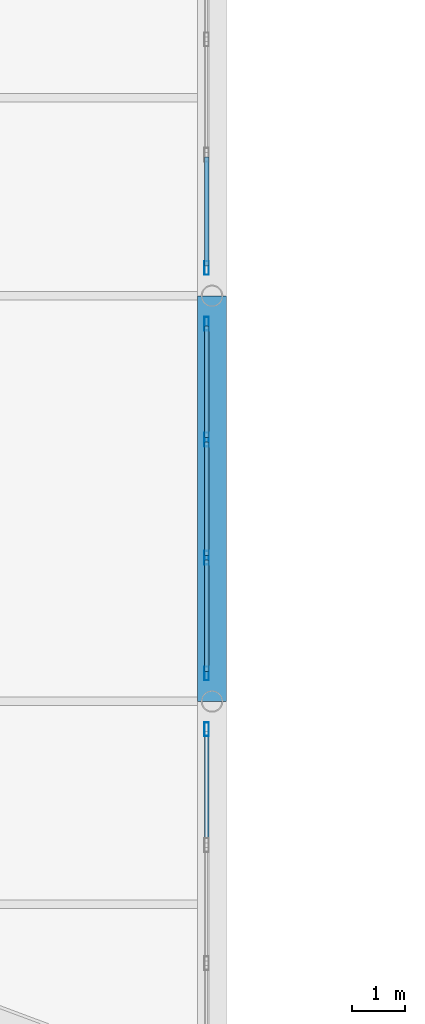
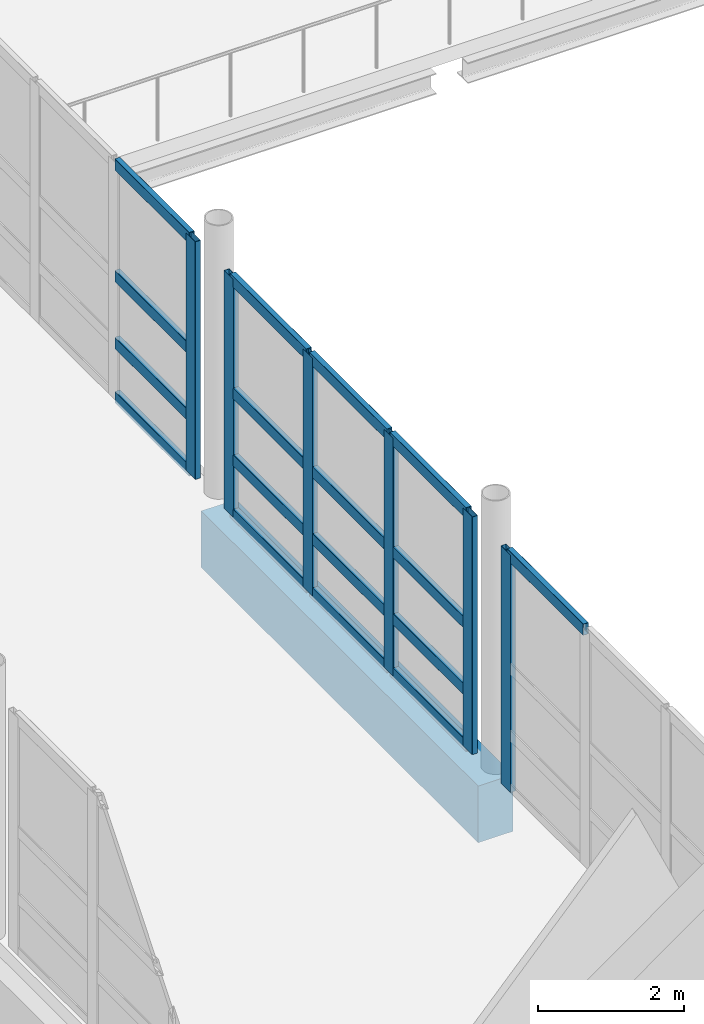
# One storey, part 22 of 141: 23 members, 1 beam, 3 elements without a shape of their own.
"""IFC4 building model written with IfcOpenShell, lengths in metres."""

from ifc_helpers import new_model, si_unit, direction, frame, origin, origin_2d, place, context, subcontext, project, spatial, rectangle, hollow_rectangle, extrude, material, material_profile, profile_set, type_object, element, aggregate, save


model = new_model("IFC4")

# Units and contexts
model_context = context("Model", 3, precision=1e-05, world=origin(), true_north=direction((0.0, 1.0)))
body_context = subcontext(model_context, "Body", "Model", "MODEL_VIEW")
ifc_project = project(units=[si_unit("LENGTHUNIT", "METRE"), si_unit("AREAUNIT", "SQUARE_METRE"), si_unit("VOLUMEUNIT", "CUBIC_METRE"), si_unit("PLANEANGLEUNIT", "RADIAN"), si_unit("MASSUNIT", "GRAM", prefix="KILO")], contexts=[model_context])

# Site, building, storey
site_placement = place(None, origin())
site = spatial("IfcSite", under=ifc_project, at=site_placement, CompositionType="ELEMENT")
building_placement = place(site_placement, origin())
building = spatial("IfcBuilding", under=site, at=building_placement, Name="Khelvaren Railside Concert Hall", CompositionType="ELEMENT")
storey_placement = place(building_placement, frame((0.0, 0.0, 10.199951171875)))
storey = spatial("IfcBuildingStorey", under=building, at=storey_placement, Name="L02", CompositionType="ELEMENT", Elevation=10.199951171875)

# Curtain wall, member
ifc_material_1 = material(Name="Acoustic laminated crystal facade glass", Category="glass")
curtain_wall_type = type_object("IfcCurtainWallType", Name="CW78", PredefinedType="USERDEFINED", material=ifc_material_1)
curtain_wall_1_placement = place(storey_placement, origin())
curtain_wall_1 = element("IfcCurtainWall", 1, at=curtain_wall_1_placement, inside=storey, type_object=curtain_wall_type, Name="Unitised Curtain Wall CW-LB3-L02-E1", ObjectType="UNITISED CURTAIN WALL", PredefinedType="USERDEFINED")
ifc_material_2 = material(Name="Anodised architectural aluminium 6063-T6", Category="aluminium")
ifc_material_profile_1 = material_profile(ifc_material_2, hollow_rectangle(XDim=0.0849609375, YDim=0.260009765625, WallThickness=0.0048828125, InnerFilletRadius=0.0029296875, OuterFilletRadius=0.0048828125, at=origin_2d()), Name="CWM 85x260x5")
ifc_profile_set_1 = profile_set([ifc_material_profile_1], Name="Anodised architectural aluminium 6063-T6")
member_type_1 = type_object("IfcMemberType", Name="CWM40", PredefinedType="MULLION", material=ifc_profile_set_1)
member_1_placement = place(storey_placement, frame((15.89990234375, 52.677490234375, 0.0), z_axis=(0.0, 0.0, 1.0), x_axis=(1.0, 0.0, 0.0)))
member_1 = element("IfcMember", 2, at=member_1_placement, type_object=member_type_1, Name="CW78 mullion 1", PredefinedType="MULLION", context=body_context, shape_type="SweptSolid", body=[
    extrude(hollow_rectangle(XDim=0.0849609375, YDim=0.260009765625, WallThickness=0.0048828125, InnerFilletRadius=0.0029296875, OuterFilletRadius=0.0048828125, at=origin_2d()), origin(), (0.0, 0.0, 1.0), 3.97998046875),
])

# Curtain wall, members
curtain_wall_2_placement = place(storey_placement, origin())
curtain_wall_2 = element("IfcCurtainWall", 3, at=curtain_wall_2_placement, inside=storey, type_object=curtain_wall_type, Name="Unitised Curtain Wall CW-LB3-L02-E2", ObjectType="UNITISED CURTAIN WALL", PredefinedType="USERDEFINED")
member_2_placement = place(storey_placement, frame((15.89990234375, 60.277587890625, 0.0), z_axis=(0.0, 0.0, 1.0), x_axis=(1.0, 0.0, 0.0)))
member_2 = element("IfcMember", 4, at=member_2_placement, type_object=member_type_1, Name="CW78 mullion 1", PredefinedType="MULLION", context=body_context, shape_type="SweptSolid", body=[
    extrude(hollow_rectangle(XDim=0.0849609375, YDim=0.260009765625, WallThickness=0.0048828125, InnerFilletRadius=0.0029296875, OuterFilletRadius=0.0048828125, at=origin_2d()), origin(), (0.0, 0.0, 1.0), 3.97998046875),
])
member_3_placement = place(storey_placement, frame((15.89990234375, 58.106689453125, 0.0), z_axis=(0.0, 0.0, 1.0), x_axis=(1.0, 0.0, 0.0)))
member_3 = element("IfcMember", 5, at=member_3_placement, type_object=member_type_1, Name="CW78 mullion 2", PredefinedType="MULLION", context=body_context, shape_type="SweptSolid", body=[
    extrude(hollow_rectangle(XDim=0.0849609375, YDim=0.260009765625, WallThickness=0.0048828125, InnerFilletRadius=0.0029296875, OuterFilletRadius=0.0048828125, at=origin_2d()), origin(), (0.0, 0.0, 1.0), 3.97998046875),
])
member_4_placement = place(storey_placement, frame((15.89990234375, 55.893310546875, 0.0), z_axis=(0.0, 0.0, 1.0), x_axis=(1.0, 0.0, 0.0)))
member_4 = element("IfcMember", 6, at=member_4_placement, type_object=member_type_1, Name="CW78 mullion 3", PredefinedType="MULLION", context=body_context, shape_type="SweptSolid", body=[
    extrude(hollow_rectangle(XDim=0.0849609375, YDim=0.260009765625, WallThickness=0.0048828125, InnerFilletRadius=0.0029296875, OuterFilletRadius=0.0048828125, at=origin_2d()), origin(), (0.0, 0.0, 1.0), 3.97998046875),
])
member_5_placement = place(storey_placement, frame((15.89990234375, 53.722412109375, 0.0), z_axis=(0.0, 0.0, 1.0), x_axis=(1.0, 0.0, 0.0)))
member_5 = element("IfcMember", 7, at=member_5_placement, type_object=member_type_1, Name="CW78 mullion 4", PredefinedType="MULLION", context=body_context, shape_type="SweptSolid", body=[
    extrude(hollow_rectangle(XDim=0.0849609375, YDim=0.260009765625, WallThickness=0.0048828125, InnerFilletRadius=0.0029296875, OuterFilletRadius=0.0048828125, at=origin_2d()), origin(), (0.0, 0.0, 1.0), 3.97998046875),
])

# Curtain wall, member
curtain_wall_3_placement = place(storey_placement, origin())
curtain_wall_3 = element("IfcCurtainWall", 8, at=curtain_wall_3_placement, inside=storey, type_object=curtain_wall_type, Name="Unitised Curtain Wall CW-LB3-L02-E3", ObjectType="UNITISED CURTAIN WALL", PredefinedType="USERDEFINED")
member_6_placement = place(storey_placement, frame((15.89990234375, 61.322509765625, 0.0), z_axis=(0.0, 0.0, 1.0), x_axis=(1.0, 0.0, 0.0)))
member_6 = element("IfcMember", 9, at=member_6_placement, type_object=member_type_1, Name="CW78 mullion 4", PredefinedType="MULLION", context=body_context, shape_type="SweptSolid", body=[
    extrude(hollow_rectangle(XDim=0.0849609375, YDim=0.260009765625, WallThickness=0.0048828125, InnerFilletRadius=0.0029296875, OuterFilletRadius=0.0048828125, at=origin_2d()), origin(), (0.0, 0.0, 1.0), 3.97998046875),
])

# Member
ifc_material_profile_2 = material_profile(ifc_material_2, hollow_rectangle(XDim=0.0849609375, YDim=0.18994140625, WallThickness=0.0048828125, InnerFilletRadius=0.0029296875, OuterFilletRadius=0.0048828125, at=origin_2d()), Name="CWT 85x190x5")
ifc_profile_set_2 = profile_set([ifc_material_profile_2], Name="Anodised architectural aluminium 6063-T6")
member_type_2 = type_object("IfcMemberType", Name="CWT31", PredefinedType="USERDEFINED", material=ifc_profile_set_2)
member_7_placement = place(storey_placement, frame((15.89990234375, 52.635009765625, 3.9375), z_axis=(0.0, -1.0, 0.0), x_axis=(1.0, 0.0, 0.0)))
member_7 = element("IfcMember", 10, at=member_7_placement, type_object=member_type_2, Name="CW78 transom 1.4", ObjectType="TRANSOM", PredefinedType="USERDEFINED", context=body_context, shape_type="SweptSolid", body=[
    extrude(hollow_rectangle(XDim=0.0849609375, YDim=0.18994140625, WallThickness=0.0048828125, InnerFilletRadius=0.0029296875, OuterFilletRadius=0.0048828125, at=origin_2d()), origin(), (0.0, 0.0, 1.0), 2.0859375),
])

aggregate(curtain_wall_1, [member_1, member_7])

member_8_placement = place(storey_placement, frame((15.89990234375, 60.235107421875, 0.04248046875), z_axis=(0.0, -1.0, 0.0), x_axis=(1.0, 0.0, 0.0)))
member_8 = element("IfcMember", 11, at=member_8_placement, type_object=member_type_2, Name="CW78 transom 1.1", ObjectType="TRANSOM", PredefinedType="USERDEFINED", context=body_context, shape_type="SweptSolid", body=[
    extrude(hollow_rectangle(XDim=0.0849609375, YDim=0.18994140625, WallThickness=0.0048828125, InnerFilletRadius=0.0029296875, OuterFilletRadius=0.0048828125, at=origin_2d()), origin(), (0.0, 0.0, 1.0), 2.0859375),
])

member_9_placement = place(storey_placement, frame((15.89990234375, 60.235107421875, 0.949951171875), z_axis=(0.0, -1.0, 0.0), x_axis=(1.0, 0.0, 0.0)))
member_9 = element("IfcMember", 12, at=member_9_placement, type_object=member_type_2, Name="CW78 transom 1.2", ObjectType="TRANSOM", PredefinedType="USERDEFINED", context=body_context, shape_type="SweptSolid", body=[
    extrude(hollow_rectangle(XDim=0.0849609375, YDim=0.18994140625, WallThickness=0.0048828125, InnerFilletRadius=0.0029296875, OuterFilletRadius=0.0048828125, at=origin_2d()), origin(), (0.0, 0.0, 1.0), 2.0859375),
])

member_10_placement = place(storey_placement, frame((15.89990234375, 60.235107421875, 2.069580078125), z_axis=(0.0, -1.0, 0.0), x_axis=(1.0, 0.0, 0.0)))
member_10 = element("IfcMember", 13, at=member_10_placement, type_object=member_type_2, Name="CW78 transom 1.3", ObjectType="TRANSOM", PredefinedType="USERDEFINED", context=body_context, shape_type="SweptSolid", body=[
    extrude(hollow_rectangle(XDim=0.0849609375, YDim=0.18994140625, WallThickness=0.0048828125, InnerFilletRadius=0.0029296875, OuterFilletRadius=0.0048828125, at=origin_2d()), origin(), (0.0, 0.0, 1.0), 2.0859375),
])

member_11_placement = place(storey_placement, frame((15.89990234375, 60.235107421875, 3.9375), z_axis=(0.0, -1.0, 0.0), x_axis=(1.0, 0.0, 0.0)))
member_11 = element("IfcMember", 14, at=member_11_placement, type_object=member_type_2, Name="CW78 transom 1.4", ObjectType="TRANSOM", PredefinedType="USERDEFINED", context=body_context, shape_type="SweptSolid", body=[
    extrude(hollow_rectangle(XDim=0.0849609375, YDim=0.18994140625, WallThickness=0.0048828125, InnerFilletRadius=0.0029296875, OuterFilletRadius=0.0048828125, at=origin_2d()), origin(), (0.0, 0.0, 1.0), 2.0859375),
])

member_12_placement = place(storey_placement, frame((15.89990234375, 58.064208984375, 0.04248046875), z_axis=(0.0, -1.0, 0.0), x_axis=(1.0, 0.0, 0.0)))
member_12 = element("IfcMember", 15, at=member_12_placement, type_object=member_type_2, Name="CW78 transom 2.1", ObjectType="TRANSOM", PredefinedType="USERDEFINED", context=body_context, shape_type="SweptSolid", body=[
    extrude(hollow_rectangle(XDim=0.0849609375, YDim=0.18994140625, WallThickness=0.0048828125, InnerFilletRadius=0.0029296875, OuterFilletRadius=0.0048828125, at=origin_2d()), origin(), (0.0, 0.0, 1.0), 2.12841796875),
])

member_13_placement = place(storey_placement, frame((15.89990234375, 58.064208984375, 0.949951171875), z_axis=(0.0, -1.0, 0.0), x_axis=(1.0, 0.0, 0.0)))
member_13 = element("IfcMember", 16, at=member_13_placement, type_object=member_type_2, Name="CW78 transom 2.2", ObjectType="TRANSOM", PredefinedType="USERDEFINED", context=body_context, shape_type="SweptSolid", body=[
    extrude(hollow_rectangle(XDim=0.0849609375, YDim=0.18994140625, WallThickness=0.0048828125, InnerFilletRadius=0.0029296875, OuterFilletRadius=0.0048828125, at=origin_2d()), origin(), (0.0, 0.0, 1.0), 2.12841796875),
])

member_14_placement = place(storey_placement, frame((15.89990234375, 58.064208984375, 2.069580078125), z_axis=(0.0, -1.0, 0.0), x_axis=(1.0, 0.0, 0.0)))
member_14 = element("IfcMember", 17, at=member_14_placement, type_object=member_type_2, Name="CW78 transom 2.3", ObjectType="TRANSOM", PredefinedType="USERDEFINED", context=body_context, shape_type="SweptSolid", body=[
    extrude(hollow_rectangle(XDim=0.0849609375, YDim=0.18994140625, WallThickness=0.0048828125, InnerFilletRadius=0.0029296875, OuterFilletRadius=0.0048828125, at=origin_2d()), origin(), (0.0, 0.0, 1.0), 2.12841796875),
])

member_15_placement = place(storey_placement, frame((15.89990234375, 58.064208984375, 3.9375), z_axis=(0.0, -1.0, 0.0), x_axis=(1.0, 0.0, 0.0)))
member_15 = element("IfcMember", 18, at=member_15_placement, type_object=member_type_2, Name="CW78 transom 2.4", ObjectType="TRANSOM", PredefinedType="USERDEFINED", context=body_context, shape_type="SweptSolid", body=[
    extrude(hollow_rectangle(XDim=0.0849609375, YDim=0.18994140625, WallThickness=0.0048828125, InnerFilletRadius=0.0029296875, OuterFilletRadius=0.0048828125, at=origin_2d()), origin(), (0.0, 0.0, 1.0), 2.12841796875),
])

member_16_placement = place(storey_placement, frame((15.89990234375, 55.850830078125, 0.04248046875), z_axis=(0.0, -1.0, 0.0), x_axis=(1.0, 0.0, 0.0)))
member_16 = element("IfcMember", 19, at=member_16_placement, type_object=member_type_2, Name="CW78 transom 3.1", ObjectType="TRANSOM", PredefinedType="USERDEFINED", context=body_context, shape_type="SweptSolid", body=[
    extrude(hollow_rectangle(XDim=0.0849609375, YDim=0.18994140625, WallThickness=0.0048828125, InnerFilletRadius=0.0029296875, OuterFilletRadius=0.0048828125, at=origin_2d()), origin(), (0.0, 0.0, 1.0), 2.0859375),
])

member_17_placement = place(storey_placement, frame((15.89990234375, 55.850830078125, 0.949951171875), z_axis=(0.0, -1.0, 0.0), x_axis=(1.0, 0.0, 0.0)))
member_17 = element("IfcMember", 20, at=member_17_placement, type_object=member_type_2, Name="CW78 transom 3.2", ObjectType="TRANSOM", PredefinedType="USERDEFINED", context=body_context, shape_type="SweptSolid", body=[
    extrude(hollow_rectangle(XDim=0.0849609375, YDim=0.18994140625, WallThickness=0.0048828125, InnerFilletRadius=0.0029296875, OuterFilletRadius=0.0048828125, at=origin_2d()), origin(), (0.0, 0.0, 1.0), 2.0859375),
])

member_18_placement = place(storey_placement, frame((15.89990234375, 55.850830078125, 2.069580078125), z_axis=(0.0, -1.0, 0.0), x_axis=(1.0, 0.0, 0.0)))
member_18 = element("IfcMember", 21, at=member_18_placement, type_object=member_type_2, Name="CW78 transom 3.3", ObjectType="TRANSOM", PredefinedType="USERDEFINED", context=body_context, shape_type="SweptSolid", body=[
    extrude(hollow_rectangle(XDim=0.0849609375, YDim=0.18994140625, WallThickness=0.0048828125, InnerFilletRadius=0.0029296875, OuterFilletRadius=0.0048828125, at=origin_2d()), origin(), (0.0, 0.0, 1.0), 2.0859375),
])

member_19_placement = place(storey_placement, frame((15.89990234375, 55.850830078125, 3.9375), z_axis=(0.0, -1.0, 0.0), x_axis=(1.0, 0.0, 0.0)))
member_19 = element("IfcMember", 22, at=member_19_placement, type_object=member_type_2, Name="CW78 transom 3.4", ObjectType="TRANSOM", PredefinedType="USERDEFINED", context=body_context, shape_type="SweptSolid", body=[
    extrude(hollow_rectangle(XDim=0.0849609375, YDim=0.18994140625, WallThickness=0.0048828125, InnerFilletRadius=0.0029296875, OuterFilletRadius=0.0048828125, at=origin_2d()), origin(), (0.0, 0.0, 1.0), 2.0859375),
])

aggregate(curtain_wall_2, [member_2, member_3, member_4, member_5, member_8, member_9, member_10, member_11, member_12, member_13, member_14, member_15, member_16, member_17, member_18, member_19])

member_20_placement = place(storey_placement, frame((15.89990234375, 63.40087890625, 0.04248046875), z_axis=(0.0, -1.0, 0.0), x_axis=(1.0, 0.0, 0.0)))
member_20 = element("IfcMember", 23, at=member_20_placement, type_object=member_type_2, Name="CW78 transom 3.1", ObjectType="TRANSOM", PredefinedType="USERDEFINED", context=body_context, shape_type="SweptSolid", body=[
    extrude(hollow_rectangle(XDim=0.0849609375, YDim=0.18994140625, WallThickness=0.0048828125, InnerFilletRadius=0.0029296875, OuterFilletRadius=0.0048828125, at=origin_2d()), origin(), (0.0, 0.0, 1.0), 2.035888671875),
])

member_21_placement = place(storey_placement, frame((15.89990234375, 63.40087890625, 0.949951171875), z_axis=(0.0, -1.0, 0.0), x_axis=(1.0, 0.0, 0.0)))
member_21 = element("IfcMember", 24, at=member_21_placement, type_object=member_type_2, Name="CW78 transom 3.2", ObjectType="TRANSOM", PredefinedType="USERDEFINED", context=body_context, shape_type="SweptSolid", body=[
    extrude(hollow_rectangle(XDim=0.0849609375, YDim=0.18994140625, WallThickness=0.0048828125, InnerFilletRadius=0.0029296875, OuterFilletRadius=0.0048828125, at=origin_2d()), origin(), (0.0, 0.0, 1.0), 2.035888671875),
])

member_22_placement = place(storey_placement, frame((15.89990234375, 63.40087890625, 2.069580078125), z_axis=(0.0, -1.0, 0.0), x_axis=(1.0, 0.0, 0.0)))
member_22 = element("IfcMember", 25, at=member_22_placement, type_object=member_type_2, Name="CW78 transom 3.3", ObjectType="TRANSOM", PredefinedType="USERDEFINED", context=body_context, shape_type="SweptSolid", body=[
    extrude(hollow_rectangle(XDim=0.0849609375, YDim=0.18994140625, WallThickness=0.0048828125, InnerFilletRadius=0.0029296875, OuterFilletRadius=0.0048828125, at=origin_2d()), origin(), (0.0, 0.0, 1.0), 2.035888671875),
])

member_23_placement = place(storey_placement, frame((15.89990234375, 63.40087890625, 3.9375), z_axis=(0.0, -1.0, 0.0), x_axis=(1.0, 0.0, 0.0)))
member_23 = element("IfcMember", 26, at=member_23_placement, type_object=member_type_2, Name="CW78 transom 3.4", ObjectType="TRANSOM", PredefinedType="USERDEFINED", context=body_context, shape_type="SweptSolid", body=[
    extrude(hollow_rectangle(XDim=0.0849609375, YDim=0.18994140625, WallThickness=0.0048828125, InnerFilletRadius=0.0029296875, OuterFilletRadius=0.0048828125, at=origin_2d()), origin(), (0.0, 0.0, 1.0), 2.035888671875),
])

aggregate(curtain_wall_3, [member_6, member_20, member_21, member_22, member_23])

# Beam
ifc_material_3 = material(Name="Concrete C40/50", Category="concrete")
ifc_material_profile_3 = material_profile(ifc_material_3, rectangle(XDim=0.550048828125, YDim=0.949951171875, at=origin_2d()), Name="RCB 550x950")
ifc_profile_set_3 = profile_set([ifc_material_profile_3], Name="Concrete C40/50")
beam_type = type_object("IfcBeamType", Name="GR75", PredefinedType="T_BEAM", material=ifc_profile_set_3)
beam_placement = place(storey_placement, frame((16.0, 53.199951171875, -0.71484375), z_axis=(0.0, 1.0, 0.0), x_axis=(-1.0, 0.0, 0.0)))
element("IfcBeam", 27, at=beam_placement, inside=storey, type_object=beam_type, Name="West Court Chamber Link Bridge L02 Bridge Girder 2.2", PredefinedType="T_BEAM", context=body_context, shape_type="SweptSolid", body=[
    extrude(rectangle(XDim=0.550048828125, YDim=0.949951171875, at=origin_2d()), origin(), (0.0, 0.0, 1.0), 7.60009765625),
])

save(model, "model.ifc")
